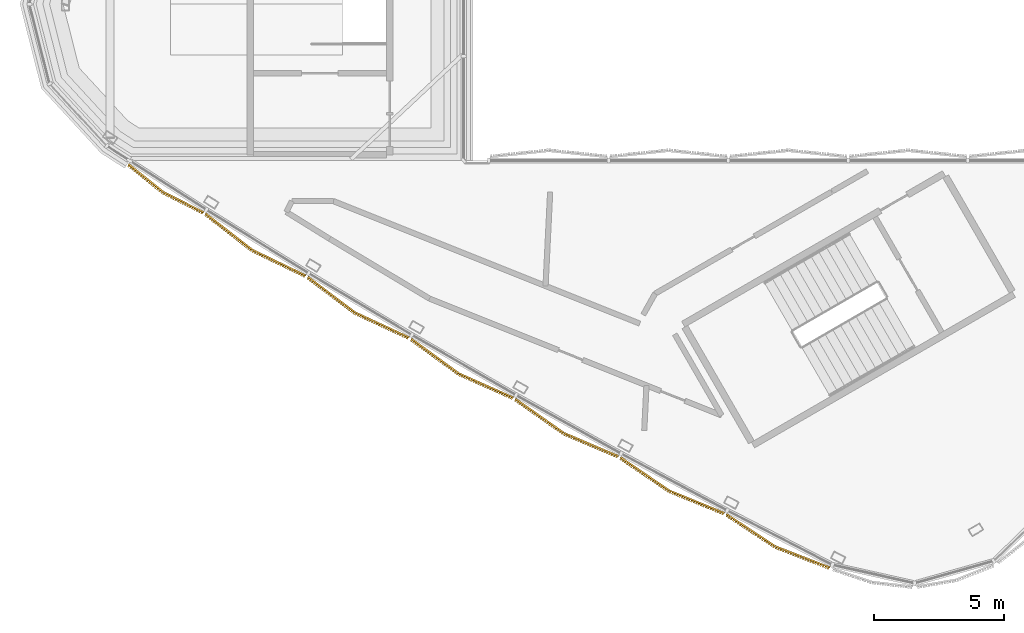
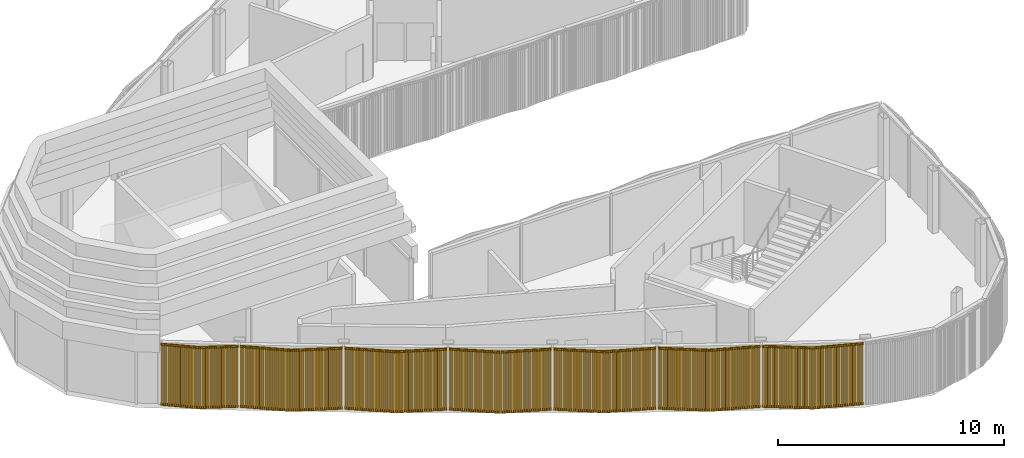
# One storey, part 9 of 16: 7 coverings.
"""IFC4 building model written with IfcOpenShell, lengths in metres."""

from ifc_helpers import new_model, si_unit, direction, frame, frame_2d, origin, place, context, subcontext, project, spatial, rectangle, extrude, source, transform, mapped, material, type_object, element, save


model = new_model("IFC4")

# Units and contexts
model_context = context("Model", 3, precision=1e-05, world=origin(), true_north=direction((0.0, 1.0)))
body_context = subcontext(model_context, "Body", "Model", "MODEL_VIEW")
ifc_project = project(units=[si_unit("LENGTHUNIT", "METRE"), si_unit("AREAUNIT", "SQUARE_METRE"), si_unit("VOLUMEUNIT", "CUBIC_METRE"), si_unit("PLANEANGLEUNIT", "RADIAN"), si_unit("MASSUNIT", "GRAM", prefix="KILO")], contexts=[model_context])

# Site, building, storey
site_placement = place(None, origin())
site = spatial("IfcSite", under=ifc_project, at=site_placement, CompositionType="ELEMENT")
building_placement = place(site_placement, origin())
building = spatial("IfcBuilding", under=site, at=building_placement, Name="Tamra Quay Hotel Tower", CompositionType="ELEMENT")
storey_placement = place(building_placement, frame((0.0, 0.0, 327.800048828125)))
storey = spatial("IfcBuildingStorey", under=building, at=storey_placement, Name="Roof crown 3", CompositionType="ELEMENT", Elevation=327.800048828125)

# Coverings
ifc_material = material(Name="Terracotta baguette extruded", Category="masonry")
covering_type = type_object("IfcCoveringType", Name="BAGUETTE SCREEN CROWN H3350", PredefinedType="USERDEFINED", material=ifc_material)
shared_shape_1 = source(origin(), body_context, "Body", "SweptSolid", [
    extrude(rectangle(XDim=2.244873046875, YDim=0.06005859375, at=frame_2d((1.12255859375, 0.030029296875))), frame((-2.23876953125, -0.0576171875, -0.1201171875), z_axis=(0.0, 0.0, 1.0), x_axis=(0.994521895368, -0.104528463268, 0.0)), (0.0, 0.0, 1.0), 0.1201171875),
    extrude(rectangle(XDim=2.244873046875, YDim=0.06005859375, at=frame_2d((1.12255859375, 0.030029296875))), frame((-2.23876953125, -0.0576171875, -3.35009765625), z_axis=(0.0, 0.0, 1.0), x_axis=(0.994521895368, -0.104528463268, 0.0)), (0.0, 0.0, 1.0), 0.1201171875),
    extrude(rectangle(XDim=0.070068359375, YDim=0.10009765625, at=frame_2d((0.03515625, 0.050048828125))), frame((-2.216796875, -0.13330078125, -3.2900390625)), (0.0, 0.0, 1.0), 3.22998046875),
    extrude(rectangle(XDim=0.070068359375, YDim=0.10009765625, at=frame_2d((0.03515625, 0.050048828125))), frame((-2.115234375, -0.14404296875, -3.2900390625)), (0.0, 0.0, 1.0), 3.22998046875),
    extrude(rectangle(XDim=0.070068359375, YDim=0.10009765625, at=frame_2d((0.03515625, 0.050048828125))), frame((-2.013916015625, -0.154541015625, -3.2900390625)), (0.0, 0.0, 1.0), 3.22998046875),
    extrude(rectangle(XDim=0.070068359375, YDim=0.10009765625, at=frame_2d((0.03515625, 0.050048828125))), frame((-1.912353515625, -0.165283203125, -3.2900390625)), (0.0, 0.0, 1.0), 3.22998046875),
    extrude(rectangle(XDim=0.070068359375, YDim=0.10009765625, at=frame_2d((0.03515625, 0.050048828125))), frame((-1.810791015625, -0.176025390625, -3.2900390625)), (0.0, 0.0, 1.0), 3.22998046875),
    extrude(rectangle(XDim=0.070068359375, YDim=0.10009765625, at=frame_2d((0.03515625, 0.050048828125))), frame((-1.70947265625, -0.186767578125, -3.2900390625)), (0.0, 0.0, 1.0), 3.22998046875),
    extrude(rectangle(XDim=0.070068359375, YDim=0.10009765625, at=frame_2d((0.03515625, 0.050048828125))), frame((-1.60791015625, -0.197265625, -3.2900390625)), (0.0, 0.0, 1.0), 3.22998046875),
    extrude(rectangle(XDim=0.070068359375, YDim=0.10009765625, at=frame_2d((0.03515625, 0.050048828125))), frame((-1.50634765625, -0.2080078125, -3.2900390625)), (0.0, 0.0, 1.0), 3.22998046875),
    extrude(rectangle(XDim=0.070068359375, YDim=0.10009765625, at=frame_2d((0.03515625, 0.050048828125))), frame((-1.405029296875, -0.21875, -3.2900390625)), (0.0, 0.0, 1.0), 3.22998046875),
    extrude(rectangle(XDim=0.070068359375, YDim=0.10009765625, at=frame_2d((0.03515625, 0.050048828125))), frame((-1.303466796875, -0.229248046875, -3.2900390625)), (0.0, 0.0, 1.0), 3.22998046875),
    extrude(rectangle(XDim=0.070068359375, YDim=0.10009765625, at=frame_2d((0.03515625, 0.050048828125))), frame((-1.201904296875, -0.239990234375, -3.2900390625)), (0.0, 0.0, 1.0), 3.22998046875),
    extrude(rectangle(XDim=0.070068359375, YDim=0.10009765625, at=frame_2d((0.03515625, 0.050048828125))), frame((-1.1005859375, -0.250732421875, -3.2900390625)), (0.0, 0.0, 1.0), 3.22998046875),
    extrude(rectangle(XDim=0.070068359375, YDim=0.10009765625, at=frame_2d((0.03515625, 0.050048828125))), frame((-0.9990234375, -0.26123046875, -3.2900390625)), (0.0, 0.0, 1.0), 3.22998046875),
    extrude(rectangle(XDim=0.070068359375, YDim=0.10009765625, at=frame_2d((0.03515625, 0.050048828125))), frame((-0.8974609375, -0.27197265625, -3.2900390625)), (0.0, 0.0, 1.0), 3.22998046875),
    extrude(rectangle(XDim=0.070068359375, YDim=0.10009765625, at=frame_2d((0.03515625, 0.050048828125))), frame((-0.796142578125, -0.28271484375, -3.2900390625)), (0.0, 0.0, 1.0), 3.22998046875),
    extrude(rectangle(XDim=0.070068359375, YDim=0.10009765625, at=frame_2d((0.03515625, 0.050048828125))), frame((-0.694580078125, -0.293212890625, -3.2900390625)), (0.0, 0.0, 1.0), 3.22998046875),
    extrude(rectangle(XDim=0.070068359375, YDim=0.10009765625, at=frame_2d((0.03515625, 0.050048828125))), frame((-0.593017578125, -0.303955078125, -3.2900390625)), (0.0, 0.0, 1.0), 3.22998046875),
    extrude(rectangle(XDim=0.070068359375, YDim=0.10009765625, at=frame_2d((0.03515625, 0.050048828125))), frame((-0.49169921875, -0.314697265625, -3.2900390625)), (0.0, 0.0, 1.0), 3.22998046875),
    extrude(rectangle(XDim=0.070068359375, YDim=0.10009765625, at=frame_2d((0.03515625, 0.050048828125))), frame((-0.39013671875, -0.325439453125, -3.2900390625)), (0.0, 0.0, 1.0), 3.22998046875),
    extrude(rectangle(XDim=0.070068359375, YDim=0.10009765625, at=frame_2d((0.03515625, 0.050048828125))), frame((-0.28857421875, -0.3359375, -3.2900390625)), (0.0, 0.0, 1.0), 3.22998046875),
    extrude(rectangle(XDim=0.070068359375, YDim=0.10009765625, at=frame_2d((0.03515625, 0.050048828125))), frame((-0.187255859375, -0.3466796875, -3.2900390625)), (0.0, 0.0, 1.0), 3.22998046875),
    extrude(rectangle(XDim=0.070068359375, YDim=0.10009765625, at=frame_2d((0.03515625, 0.050048828125))), frame((-0.085693359375, -0.357421875, -3.2900390625)), (0.0, 0.0, 1.0), 3.22998046875),
    extrude(rectangle(XDim=2.244873046875, YDim=0.06005859375, at=frame_2d((1.12255859375, 0.030029296875))), frame((0.00634765625, -0.292236328125, -0.1201171875), z_axis=(0.0, 0.0, 1.0), x_axis=(0.994521895368, 0.104528463268, 0.0)), (0.0, 0.0, 1.0), 0.1201171875),
    extrude(rectangle(XDim=2.244873046875, YDim=0.06005859375, at=frame_2d((1.12255859375, 0.030029296875))), frame((0.00634765625, -0.292236328125, -3.35009765625), z_axis=(0.0, 0.0, 1.0), x_axis=(0.994521895368, 0.104528463268, 0.0)), (0.0, 0.0, 1.0), 0.1201171875),
    extrude(rectangle(XDim=0.070068359375, YDim=0.10009765625, at=frame_2d((0.03515625, 0.050048828125))), frame((0.015625, -0.357421875, -3.2900390625)), (0.0, 0.0, 1.0), 3.22998046875),
    extrude(rectangle(XDim=0.070068359375, YDim=0.10009765625, at=frame_2d((0.03515625, 0.050048828125))), frame((0.1171875, -0.3466796875, -3.2900390625)), (0.0, 0.0, 1.0), 3.22998046875),
    extrude(rectangle(XDim=0.070068359375, YDim=0.10009765625, at=frame_2d((0.03515625, 0.050048828125))), frame((0.21875, -0.3359375, -3.2900390625)), (0.0, 0.0, 1.0), 3.22998046875),
    extrude(rectangle(XDim=0.070068359375, YDim=0.10009765625, at=frame_2d((0.03515625, 0.050048828125))), frame((0.320068359375, -0.325439453125, -3.2900390625)), (0.0, 0.0, 1.0), 3.22998046875),
    extrude(rectangle(XDim=0.070068359375, YDim=0.10009765625, at=frame_2d((0.03515625, 0.050048828125))), frame((0.421630859375, -0.314697265625, -3.2900390625)), (0.0, 0.0, 1.0), 3.22998046875),
    extrude(rectangle(XDim=0.070068359375, YDim=0.10009765625, at=frame_2d((0.03515625, 0.050048828125))), frame((0.523193359375, -0.303955078125, -3.2900390625)), (0.0, 0.0, 1.0), 3.22998046875),
    extrude(rectangle(XDim=0.070068359375, YDim=0.10009765625, at=frame_2d((0.03515625, 0.050048828125))), frame((0.62451171875, -0.293212890625, -3.2900390625)), (0.0, 0.0, 1.0), 3.22998046875),
    extrude(rectangle(XDim=0.070068359375, YDim=0.10009765625, at=frame_2d((0.03515625, 0.050048828125))), frame((0.72607421875, -0.28271484375, -3.2900390625)), (0.0, 0.0, 1.0), 3.22998046875),
    extrude(rectangle(XDim=0.070068359375, YDim=0.10009765625, at=frame_2d((0.03515625, 0.050048828125))), frame((0.82763671875, -0.27197265625, -3.2900390625)), (0.0, 0.0, 1.0), 3.22998046875),
    extrude(rectangle(XDim=0.070068359375, YDim=0.10009765625, at=frame_2d((0.03515625, 0.050048828125))), frame((0.928955078125, -0.26123046875, -3.2900390625)), (0.0, 0.0, 1.0), 3.22998046875),
    extrude(rectangle(XDim=0.070068359375, YDim=0.10009765625, at=frame_2d((0.03515625, 0.050048828125))), frame((1.030517578125, -0.250732421875, -3.2900390625)), (0.0, 0.0, 1.0), 3.22998046875),
    extrude(rectangle(XDim=0.070068359375, YDim=0.10009765625, at=frame_2d((0.03515625, 0.050048828125))), frame((1.132080078125, -0.239990234375, -3.2900390625)), (0.0, 0.0, 1.0), 3.22998046875),
    extrude(rectangle(XDim=0.070068359375, YDim=0.10009765625, at=frame_2d((0.03515625, 0.050048828125))), frame((1.2333984375, -0.229248046875, -3.2900390625)), (0.0, 0.0, 1.0), 3.22998046875),
    extrude(rectangle(XDim=0.070068359375, YDim=0.10009765625, at=frame_2d((0.03515625, 0.050048828125))), frame((1.3349609375, -0.21875, -3.2900390625)), (0.0, 0.0, 1.0), 3.22998046875),
    extrude(rectangle(XDim=0.070068359375, YDim=0.10009765625, at=frame_2d((0.03515625, 0.050048828125))), frame((1.4365234375, -0.2080078125, -3.2900390625)), (0.0, 0.0, 1.0), 3.22998046875),
    extrude(rectangle(XDim=0.070068359375, YDim=0.10009765625, at=frame_2d((0.03515625, 0.050048828125))), frame((1.537841796875, -0.197265625, -3.2900390625)), (0.0, 0.0, 1.0), 3.22998046875),
    extrude(rectangle(XDim=0.070068359375, YDim=0.10009765625, at=frame_2d((0.03515625, 0.050048828125))), frame((1.639404296875, -0.186767578125, -3.2900390625)), (0.0, 0.0, 1.0), 3.22998046875),
    extrude(rectangle(XDim=0.070068359375, YDim=0.10009765625, at=frame_2d((0.03515625, 0.050048828125))), frame((1.740966796875, -0.176025390625, -3.2900390625)), (0.0, 0.0, 1.0), 3.22998046875),
    extrude(rectangle(XDim=0.070068359375, YDim=0.10009765625, at=frame_2d((0.03515625, 0.050048828125))), frame((1.84228515625, -0.165283203125, -3.2900390625)), (0.0, 0.0, 1.0), 3.22998046875),
    extrude(rectangle(XDim=0.070068359375, YDim=0.10009765625, at=frame_2d((0.03515625, 0.050048828125))), frame((1.94384765625, -0.154541015625, -3.2900390625)), (0.0, 0.0, 1.0), 3.22998046875),
    extrude(rectangle(XDim=0.070068359375, YDim=0.10009765625, at=frame_2d((0.03515625, 0.050048828125))), frame((2.045166015625, -0.14404296875, -3.2900390625)), (0.0, 0.0, 1.0), 3.22998046875),
    extrude(rectangle(XDim=0.070068359375, YDim=0.10009765625, at=frame_2d((0.03515625, 0.050048828125))), frame((2.146728515625, -0.13330078125, -3.2900390625)), (0.0, 0.0, 1.0), 3.22998046875),
])
covering_1_placement = place(storey_placement, frame((4.072021484375, -20.548583984375, 3.349853515625), z_axis=(0.0, 0.0, 1.0), x_axis=(0.888486270479, -0.458903200218, 0.0)))
element("IfcCovering", 1, at=covering_1_placement, inside=storey, type_object=covering_type, Name="Baguette screen Roof crown 3.B.f14", ObjectType="BAGUETTE SCREEN", PredefinedType="USERDEFINED", context=body_context, shape_type="MappedRepresentation", body=[
    mapped(shared_shape_1, transform((0.0, 0.0, 0.0), scale=1.0)),
])
shared_shape_2 = source(origin(), body_context, "Body", "SweptSolid", [
    extrude(rectangle(XDim=2.27490234375, YDim=0.06005859375, at=frame_2d((1.137451171875, 0.030029296875))), frame((-2.268798828125, -0.0576171875, -0.1201171875), z_axis=(0.0, 0.0, 1.0), x_axis=(0.994521895368, -0.104528463268, 0.0)), (0.0, 0.0, 1.0), 0.1201171875),
    extrude(rectangle(XDim=2.27490234375, YDim=0.06005859375, at=frame_2d((1.137451171875, 0.030029296875))), frame((-2.268798828125, -0.0576171875, -3.35009765625), z_axis=(0.0, 0.0, 1.0), x_axis=(0.994521895368, -0.104528463268, 0.0)), (0.0, 0.0, 1.0), 0.1201171875),
    extrude(rectangle(XDim=0.070068359375, YDim=0.10009765625, at=frame_2d((0.03515625, 0.050048828125))), frame((-2.248291015625, -0.133056640625, -3.2900390625)), (0.0, 0.0, 1.0), 3.22998046875),
    extrude(rectangle(XDim=0.070068359375, YDim=0.10009765625, at=frame_2d((0.03515625, 0.050048828125))), frame((-2.14990234375, -0.1435546875, -3.2900390625)), (0.0, 0.0, 1.0), 3.22998046875),
    extrude(rectangle(XDim=0.070068359375, YDim=0.10009765625, at=frame_2d((0.03515625, 0.050048828125))), frame((-2.051513671875, -0.15380859375, -3.2900390625)), (0.0, 0.0, 1.0), 3.22998046875),
    extrude(rectangle(XDim=0.070068359375, YDim=0.10009765625, at=frame_2d((0.03515625, 0.050048828125))), frame((-1.953125, -0.164306640625, -3.2900390625)), (0.0, 0.0, 1.0), 3.22998046875),
    extrude(rectangle(XDim=0.070068359375, YDim=0.10009765625, at=frame_2d((0.03515625, 0.050048828125))), frame((-1.854736328125, -0.174560546875, -3.2900390625)), (0.0, 0.0, 1.0), 3.22998046875),
    extrude(rectangle(XDim=0.070068359375, YDim=0.10009765625, at=frame_2d((0.03515625, 0.050048828125))), frame((-1.756591796875, -0.184814453125, -3.2900390625)), (0.0, 0.0, 1.0), 3.22998046875),
    extrude(rectangle(XDim=0.070068359375, YDim=0.10009765625, at=frame_2d((0.03515625, 0.050048828125))), frame((-1.658203125, -0.1953125, -3.2900390625)), (0.0, 0.0, 1.0), 3.22998046875),
    extrude(rectangle(XDim=0.070068359375, YDim=0.10009765625, at=frame_2d((0.03515625, 0.050048828125))), frame((-1.559814453125, -0.20556640625, -3.2900390625)), (0.0, 0.0, 1.0), 3.22998046875),
    extrude(rectangle(XDim=0.070068359375, YDim=0.10009765625, at=frame_2d((0.03515625, 0.050048828125))), frame((-1.46142578125, -0.2158203125, -3.2900390625)), (0.0, 0.0, 1.0), 3.22998046875),
    extrude(rectangle(XDim=0.070068359375, YDim=0.10009765625, at=frame_2d((0.03515625, 0.050048828125))), frame((-1.363037109375, -0.226318359375, -3.2900390625)), (0.0, 0.0, 1.0), 3.22998046875),
    extrude(rectangle(XDim=0.070068359375, YDim=0.10009765625, at=frame_2d((0.03515625, 0.050048828125))), frame((-1.2646484375, -0.236572265625, -3.2900390625)), (0.0, 0.0, 1.0), 3.22998046875),
    extrude(rectangle(XDim=0.070068359375, YDim=0.10009765625, at=frame_2d((0.03515625, 0.050048828125))), frame((-1.166259765625, -0.246826171875, -3.2900390625)), (0.0, 0.0, 1.0), 3.22998046875),
    extrude(rectangle(XDim=0.070068359375, YDim=0.10009765625, at=frame_2d((0.03515625, 0.050048828125))), frame((-1.06787109375, -0.25732421875, -3.2900390625)), (0.0, 0.0, 1.0), 3.22998046875),
    extrude(rectangle(XDim=0.070068359375, YDim=0.10009765625, at=frame_2d((0.03515625, 0.050048828125))), frame((-0.969482421875, -0.267578125, -3.2900390625)), (0.0, 0.0, 1.0), 3.22998046875),
    extrude(rectangle(XDim=0.070068359375, YDim=0.10009765625, at=frame_2d((0.03515625, 0.050048828125))), frame((-0.87109375, -0.27783203125, -3.2900390625)), (0.0, 0.0, 1.0), 3.22998046875),
    extrude(rectangle(XDim=0.070068359375, YDim=0.10009765625, at=frame_2d((0.03515625, 0.050048828125))), frame((-0.772705078125, -0.288330078125, -3.2900390625)), (0.0, 0.0, 1.0), 3.22998046875),
    extrude(rectangle(XDim=0.070068359375, YDim=0.10009765625, at=frame_2d((0.03515625, 0.050048828125))), frame((-0.67431640625, -0.298583984375, -3.2900390625)), (0.0, 0.0, 1.0), 3.22998046875),
    extrude(rectangle(XDim=0.070068359375, YDim=0.10009765625, at=frame_2d((0.03515625, 0.050048828125))), frame((-0.575927734375, -0.308837890625, -3.2900390625)), (0.0, 0.0, 1.0), 3.22998046875),
    extrude(rectangle(XDim=0.070068359375, YDim=0.10009765625, at=frame_2d((0.03515625, 0.050048828125))), frame((-0.4775390625, -0.3193359375, -3.2900390625)), (0.0, 0.0, 1.0), 3.22998046875),
    extrude(rectangle(XDim=0.070068359375, YDim=0.10009765625, at=frame_2d((0.03515625, 0.050048828125))), frame((-0.37939453125, -0.32958984375, -3.2900390625)), (0.0, 0.0, 1.0), 3.22998046875),
    extrude(rectangle(XDim=0.070068359375, YDim=0.10009765625, at=frame_2d((0.03515625, 0.050048828125))), frame((-0.281005859375, -0.33984375, -3.2900390625)), (0.0, 0.0, 1.0), 3.22998046875),
    extrude(rectangle(XDim=0.070068359375, YDim=0.10009765625, at=frame_2d((0.03515625, 0.050048828125))), frame((-0.1826171875, -0.350341796875, -3.2900390625)), (0.0, 0.0, 1.0), 3.22998046875),
    extrude(rectangle(XDim=0.070068359375, YDim=0.10009765625, at=frame_2d((0.03515625, 0.050048828125))), frame((-0.084228515625, -0.360595703125, -3.2900390625)), (0.0, 0.0, 1.0), 3.22998046875),
    extrude(rectangle(XDim=2.27490234375, YDim=0.06005859375, at=frame_2d((1.137451171875, 0.030029296875))), frame((0.00634765625, -0.29541015625, -0.1201171875), z_axis=(0.0, 0.0, 1.0), x_axis=(0.994521895368, 0.104528463268, 0.0)), (0.0, 0.0, 1.0), 0.1201171875),
    extrude(rectangle(XDim=2.27490234375, YDim=0.06005859375, at=frame_2d((1.137451171875, 0.030029296875))), frame((0.00634765625, -0.29541015625, -3.35009765625), z_axis=(0.0, 0.0, 1.0), x_axis=(0.994521895368, 0.104528463268, 0.0)), (0.0, 0.0, 1.0), 0.1201171875),
    extrude(rectangle(XDim=0.070068359375, YDim=0.10009765625, at=frame_2d((0.03515625, 0.050048828125))), frame((0.01416015625, -0.360595703125, -3.2900390625)), (0.0, 0.0, 1.0), 3.22998046875),
    extrude(rectangle(XDim=0.070068359375, YDim=0.10009765625, at=frame_2d((0.03515625, 0.050048828125))), frame((0.112548828125, -0.350341796875, -3.2900390625)), (0.0, 0.0, 1.0), 3.22998046875),
    extrude(rectangle(XDim=0.070068359375, YDim=0.10009765625, at=frame_2d((0.03515625, 0.050048828125))), frame((0.2109375, -0.33984375, -3.2900390625)), (0.0, 0.0, 1.0), 3.22998046875),
    extrude(rectangle(XDim=0.070068359375, YDim=0.10009765625, at=frame_2d((0.03515625, 0.050048828125))), frame((0.309326171875, -0.32958984375, -3.2900390625)), (0.0, 0.0, 1.0), 3.22998046875),
    extrude(rectangle(XDim=0.070068359375, YDim=0.10009765625, at=frame_2d((0.03515625, 0.050048828125))), frame((0.40771484375, -0.3193359375, -3.2900390625)), (0.0, 0.0, 1.0), 3.22998046875),
    extrude(rectangle(XDim=0.070068359375, YDim=0.10009765625, at=frame_2d((0.03515625, 0.050048828125))), frame((0.506103515625, -0.308837890625, -3.2900390625)), (0.0, 0.0, 1.0), 3.22998046875),
    extrude(rectangle(XDim=0.070068359375, YDim=0.10009765625, at=frame_2d((0.03515625, 0.050048828125))), frame((0.6044921875, -0.298583984375, -3.2900390625)), (0.0, 0.0, 1.0), 3.22998046875),
    extrude(rectangle(XDim=0.070068359375, YDim=0.10009765625, at=frame_2d((0.03515625, 0.050048828125))), frame((0.702880859375, -0.288330078125, -3.2900390625)), (0.0, 0.0, 1.0), 3.22998046875),
    extrude(rectangle(XDim=0.070068359375, YDim=0.10009765625, at=frame_2d((0.03515625, 0.050048828125))), frame((0.801025390625, -0.27783203125, -3.2900390625)), (0.0, 0.0, 1.0), 3.22998046875),
    extrude(rectangle(XDim=0.070068359375, YDim=0.10009765625, at=frame_2d((0.03515625, 0.050048828125))), frame((0.8994140625, -0.267578125, -3.2900390625)), (0.0, 0.0, 1.0), 3.22998046875),
    extrude(rectangle(XDim=0.070068359375, YDim=0.10009765625, at=frame_2d((0.03515625, 0.050048828125))), frame((0.997802734375, -0.25732421875, -3.2900390625)), (0.0, 0.0, 1.0), 3.22998046875),
    extrude(rectangle(XDim=0.070068359375, YDim=0.10009765625, at=frame_2d((0.03515625, 0.050048828125))), frame((1.09619140625, -0.246826171875, -3.2900390625)), (0.0, 0.0, 1.0), 3.22998046875),
    extrude(rectangle(XDim=0.070068359375, YDim=0.10009765625, at=frame_2d((0.03515625, 0.050048828125))), frame((1.194580078125, -0.236572265625, -3.2900390625)), (0.0, 0.0, 1.0), 3.22998046875),
    extrude(rectangle(XDim=0.070068359375, YDim=0.10009765625, at=frame_2d((0.03515625, 0.050048828125))), frame((1.29296875, -0.226318359375, -3.2900390625)), (0.0, 0.0, 1.0), 3.22998046875),
    extrude(rectangle(XDim=0.070068359375, YDim=0.10009765625, at=frame_2d((0.03515625, 0.050048828125))), frame((1.391357421875, -0.2158203125, -3.2900390625)), (0.0, 0.0, 1.0), 3.22998046875),
    extrude(rectangle(XDim=0.070068359375, YDim=0.10009765625, at=frame_2d((0.03515625, 0.050048828125))), frame((1.48974609375, -0.20556640625, -3.2900390625)), (0.0, 0.0, 1.0), 3.22998046875),
    extrude(rectangle(XDim=0.070068359375, YDim=0.10009765625, at=frame_2d((0.03515625, 0.050048828125))), frame((1.588134765625, -0.1953125, -3.2900390625)), (0.0, 0.0, 1.0), 3.22998046875),
    extrude(rectangle(XDim=0.070068359375, YDim=0.10009765625, at=frame_2d((0.03515625, 0.050048828125))), frame((1.6865234375, -0.184814453125, -3.2900390625)), (0.0, 0.0, 1.0), 3.22998046875),
    extrude(rectangle(XDim=0.070068359375, YDim=0.10009765625, at=frame_2d((0.03515625, 0.050048828125))), frame((1.784912109375, -0.174560546875, -3.2900390625)), (0.0, 0.0, 1.0), 3.22998046875),
    extrude(rectangle(XDim=0.070068359375, YDim=0.10009765625, at=frame_2d((0.03515625, 0.050048828125))), frame((1.88330078125, -0.164306640625, -3.2900390625)), (0.0, 0.0, 1.0), 3.22998046875),
    extrude(rectangle(XDim=0.070068359375, YDim=0.10009765625, at=frame_2d((0.03515625, 0.050048828125))), frame((1.981689453125, -0.15380859375, -3.2900390625)), (0.0, 0.0, 1.0), 3.22998046875),
    extrude(rectangle(XDim=0.070068359375, YDim=0.10009765625, at=frame_2d((0.03515625, 0.050048828125))), frame((2.079833984375, -0.1435546875, -3.2900390625)), (0.0, 0.0, 1.0), 3.22998046875),
    extrude(rectangle(XDim=0.070068359375, YDim=0.10009765625, at=frame_2d((0.03515625, 0.050048828125))), frame((2.17822265625, -0.133056640625, -3.2900390625)), (0.0, 0.0, 1.0), 3.22998046875),
])
for number, where, z_axis, x_axis, name in (
    (2, (-15.95947265625, -9.189453125, 3.349853515625), (0.0, 0.0, 1.0), (0.849981732244, -0.526812162779, 0.0), "Baguette screen Roof crown 3.B.f09"),
    (3, (-12.018798828125, -11.58935546875, 3.349853515625), (0.0, 0.0, 1.0), (0.858103653871, -0.513476503078, 0.0), "Baguette screen Roof crown 3.B.f10"),
    (4, (-8.041015625, -13.927490234375, 3.349853515625), (0.0, 0.0, 1.0), (0.866025403784, -0.5, 0.0), "Baguette screen Roof crown 3.B.f11"),
    (5, (-4.02734375, -16.203125, 3.349853515625), (0.0, 0.0, 1.0), (0.873735522847, -0.486401311794, 0.0), "Baguette screen Roof crown 3.B.f12"),
    (6, (0.021484375, -18.416015625, 3.349853515625), (0.0, 0.0, 1.0), (0.881223582111, -0.472699691486, 0.0), "Baguette screen Roof crown 3.B.f13"),
):
    element("IfcCovering", number, at=place(storey_placement, frame(where, z_axis=z_axis, x_axis=x_axis)), inside=storey, type_object=covering_type, Name=name, ObjectType="BAGUETTE SCREEN", PredefinedType="USERDEFINED", context=body_context, shape_type="MappedRepresentation", body=[
        mapped(shared_shape_2, transform((0.0, 0.0, 0.0), scale=1.0)),
    ])
shared_shape_3 = source(origin(), body_context, "Body", "SweptSolid", [
    extrude(rectangle(XDim=1.721923828125, YDim=0.06005859375, at=frame_2d((0.86083984375, 0.030029296875))), frame((-1.71875, -0.0576171875, -0.1201171875), z_axis=(0.0, 0.0, 1.0), x_axis=(0.994521895368, -0.104528463268, 0.0)), (0.0, 0.0, 1.0), 0.1201171875),
    extrude(rectangle(XDim=1.721923828125, YDim=0.06005859375, at=frame_2d((0.86083984375, 0.030029296875))), frame((-1.71875, -0.0576171875, -3.35009765625), z_axis=(0.0, 0.0, 1.0), x_axis=(0.994521895368, -0.104528463268, 0.0)), (0.0, 0.0, 1.0), 0.1201171875),
    extrude(rectangle(XDim=0.070068359375, YDim=0.10009765625, at=frame_2d((0.03515625, 0.050048828125))), frame((-1.697021484375, -0.13330078125, -3.2900390625)), (0.0, 0.0, 1.0), 3.22998046875),
    extrude(rectangle(XDim=0.070068359375, YDim=0.10009765625, at=frame_2d((0.03515625, 0.050048828125))), frame((-1.596435546875, -0.143798828125, -3.2900390625)), (0.0, 0.0, 1.0), 3.22998046875),
    extrude(rectangle(XDim=0.070068359375, YDim=0.10009765625, at=frame_2d((0.03515625, 0.050048828125))), frame((-1.49560546875, -0.154541015625, -3.2900390625)), (0.0, 0.0, 1.0), 3.22998046875),
    extrude(rectangle(XDim=0.070068359375, YDim=0.10009765625, at=frame_2d((0.03515625, 0.050048828125))), frame((-1.39501953125, -0.1650390625, -3.2900390625)), (0.0, 0.0, 1.0), 3.22998046875),
    extrude(rectangle(XDim=0.070068359375, YDim=0.10009765625, at=frame_2d((0.03515625, 0.050048828125))), frame((-1.294189453125, -0.175537109375, -3.2900390625)), (0.0, 0.0, 1.0), 3.22998046875),
    extrude(rectangle(XDim=0.070068359375, YDim=0.10009765625, at=frame_2d((0.03515625, 0.050048828125))), frame((-1.193359375, -0.186279296875, -3.2900390625)), (0.0, 0.0, 1.0), 3.22998046875),
    extrude(rectangle(XDim=0.070068359375, YDim=0.10009765625, at=frame_2d((0.03515625, 0.050048828125))), frame((-1.0927734375, -0.19677734375, -3.2900390625)), (0.0, 0.0, 1.0), 3.22998046875),
    extrude(rectangle(XDim=0.070068359375, YDim=0.10009765625, at=frame_2d((0.03515625, 0.050048828125))), frame((-0.991943359375, -0.20751953125, -3.2900390625)), (0.0, 0.0, 1.0), 3.22998046875),
    extrude(rectangle(XDim=0.070068359375, YDim=0.10009765625, at=frame_2d((0.03515625, 0.050048828125))), frame((-0.891357421875, -0.218017578125, -3.2900390625)), (0.0, 0.0, 1.0), 3.22998046875),
    extrude(rectangle(XDim=0.070068359375, YDim=0.10009765625, at=frame_2d((0.03515625, 0.050048828125))), frame((-0.79052734375, -0.228515625, -3.2900390625)), (0.0, 0.0, 1.0), 3.22998046875),
    extrude(rectangle(XDim=0.070068359375, YDim=0.10009765625, at=frame_2d((0.03515625, 0.050048828125))), frame((-0.689697265625, -0.2392578125, -3.2900390625)), (0.0, 0.0, 1.0), 3.22998046875),
    extrude(rectangle(XDim=0.070068359375, YDim=0.10009765625, at=frame_2d((0.03515625, 0.050048828125))), frame((-0.589111328125, -0.249755859375, -3.2900390625)), (0.0, 0.0, 1.0), 3.22998046875),
    extrude(rectangle(XDim=0.070068359375, YDim=0.10009765625, at=frame_2d((0.03515625, 0.050048828125))), frame((-0.48828125, -0.26025390625, -3.2900390625)), (0.0, 0.0, 1.0), 3.22998046875),
    extrude(rectangle(XDim=0.070068359375, YDim=0.10009765625, at=frame_2d((0.03515625, 0.050048828125))), frame((-0.387451171875, -0.27099609375, -3.2900390625)), (0.0, 0.0, 1.0), 3.22998046875),
    extrude(rectangle(XDim=0.070068359375, YDim=0.10009765625, at=frame_2d((0.03515625, 0.050048828125))), frame((-0.286865234375, -0.281494140625, -3.2900390625)), (0.0, 0.0, 1.0), 3.22998046875),
    extrude(rectangle(XDim=0.070068359375, YDim=0.10009765625, at=frame_2d((0.03515625, 0.050048828125))), frame((-0.18603515625, -0.2919921875, -3.2900390625)), (0.0, 0.0, 1.0), 3.22998046875),
    extrude(rectangle(XDim=0.070068359375, YDim=0.10009765625, at=frame_2d((0.03515625, 0.050048828125))), frame((-0.08544921875, -0.302734375, -3.2900390625)), (0.0, 0.0, 1.0), 3.22998046875),
    extrude(rectangle(XDim=1.721923828125, YDim=0.06005859375, at=frame_2d((0.86083984375, 0.030029296875))), frame((0.00634765625, -0.237548828125, -0.1201171875), z_axis=(0.0, 0.0, 1.0), x_axis=(0.994521895368, 0.104528463268, 0.0)), (0.0, 0.0, 1.0), 0.1201171875),
    extrude(rectangle(XDim=1.721923828125, YDim=0.06005859375, at=frame_2d((0.86083984375, 0.030029296875))), frame((0.00634765625, -0.237548828125, -3.35009765625), z_axis=(0.0, 0.0, 1.0), x_axis=(0.994521895368, 0.104528463268, 0.0)), (0.0, 0.0, 1.0), 0.1201171875),
    extrude(rectangle(XDim=0.070068359375, YDim=0.10009765625, at=frame_2d((0.03515625, 0.050048828125))), frame((0.015380859375, -0.302734375, -3.2900390625)), (0.0, 0.0, 1.0), 3.22998046875),
    extrude(rectangle(XDim=0.070068359375, YDim=0.10009765625, at=frame_2d((0.03515625, 0.050048828125))), frame((0.1162109375, -0.2919921875, -3.2900390625)), (0.0, 0.0, 1.0), 3.22998046875),
    extrude(rectangle(XDim=0.070068359375, YDim=0.10009765625, at=frame_2d((0.03515625, 0.050048828125))), frame((0.216796875, -0.281494140625, -3.2900390625)), (0.0, 0.0, 1.0), 3.22998046875),
    extrude(rectangle(XDim=0.070068359375, YDim=0.10009765625, at=frame_2d((0.03515625, 0.050048828125))), frame((0.317626953125, -0.27099609375, -3.2900390625)), (0.0, 0.0, 1.0), 3.22998046875),
    extrude(rectangle(XDim=0.070068359375, YDim=0.10009765625, at=frame_2d((0.03515625, 0.050048828125))), frame((0.418212890625, -0.26025390625, -3.2900390625)), (0.0, 0.0, 1.0), 3.22998046875),
    extrude(rectangle(XDim=0.070068359375, YDim=0.10009765625, at=frame_2d((0.03515625, 0.050048828125))), frame((0.51904296875, -0.249755859375, -3.2900390625)), (0.0, 0.0, 1.0), 3.22998046875),
    extrude(rectangle(XDim=0.070068359375, YDim=0.10009765625, at=frame_2d((0.03515625, 0.050048828125))), frame((0.619873046875, -0.2392578125, -3.2900390625)), (0.0, 0.0, 1.0), 3.22998046875),
    extrude(rectangle(XDim=0.070068359375, YDim=0.10009765625, at=frame_2d((0.03515625, 0.050048828125))), frame((0.720458984375, -0.228515625, -3.2900390625)), (0.0, 0.0, 1.0), 3.22998046875),
    extrude(rectangle(XDim=0.070068359375, YDim=0.10009765625, at=frame_2d((0.03515625, 0.050048828125))), frame((0.8212890625, -0.218017578125, -3.2900390625)), (0.0, 0.0, 1.0), 3.22998046875),
    extrude(rectangle(XDim=0.070068359375, YDim=0.10009765625, at=frame_2d((0.03515625, 0.050048828125))), frame((0.921875, -0.20751953125, -3.2900390625)), (0.0, 0.0, 1.0), 3.22998046875),
    extrude(rectangle(XDim=0.070068359375, YDim=0.10009765625, at=frame_2d((0.03515625, 0.050048828125))), frame((1.022705078125, -0.19677734375, -3.2900390625)), (0.0, 0.0, 1.0), 3.22998046875),
    extrude(rectangle(XDim=0.070068359375, YDim=0.10009765625, at=frame_2d((0.03515625, 0.050048828125))), frame((1.12353515625, -0.186279296875, -3.2900390625)), (0.0, 0.0, 1.0), 3.22998046875),
    extrude(rectangle(XDim=0.070068359375, YDim=0.10009765625, at=frame_2d((0.03515625, 0.050048828125))), frame((1.22412109375, -0.175537109375, -3.2900390625)), (0.0, 0.0, 1.0), 3.22998046875),
    extrude(rectangle(XDim=0.070068359375, YDim=0.10009765625, at=frame_2d((0.03515625, 0.050048828125))), frame((1.324951171875, -0.1650390625, -3.2900390625)), (0.0, 0.0, 1.0), 3.22998046875),
    extrude(rectangle(XDim=0.070068359375, YDim=0.10009765625, at=frame_2d((0.03515625, 0.050048828125))), frame((1.42578125, -0.154541015625, -3.2900390625)), (0.0, 0.0, 1.0), 3.22998046875),
    extrude(rectangle(XDim=0.070068359375, YDim=0.10009765625, at=frame_2d((0.03515625, 0.050048828125))), frame((1.5263671875, -0.143798828125, -3.2900390625)), (0.0, 0.0, 1.0), 3.22998046875),
    extrude(rectangle(XDim=0.070068359375, YDim=0.10009765625, at=frame_2d((0.03515625, 0.050048828125))), frame((1.627197265625, -0.13330078125, -3.2900390625)), (0.0, 0.0, 1.0), 3.22998046875),
])
covering_2_placement = place(storey_placement, frame((-19.394775390625, -7.028076171875, 3.349853515625), z_axis=(0.0, 0.0, 1.0), x_axis=(0.841664964506, -0.54000008104, 0.0)))
element("IfcCovering", 7, at=covering_2_placement, inside=storey, type_object=covering_type, Name="Baguette screen Roof crown 3.B.f08", ObjectType="BAGUETTE SCREEN", PredefinedType="USERDEFINED", context=body_context, shape_type="MappedRepresentation", body=[
    mapped(shared_shape_3, transform((0.0, 0.0, 0.0), scale=1.0)),
])

save(model, "model.ifc")
